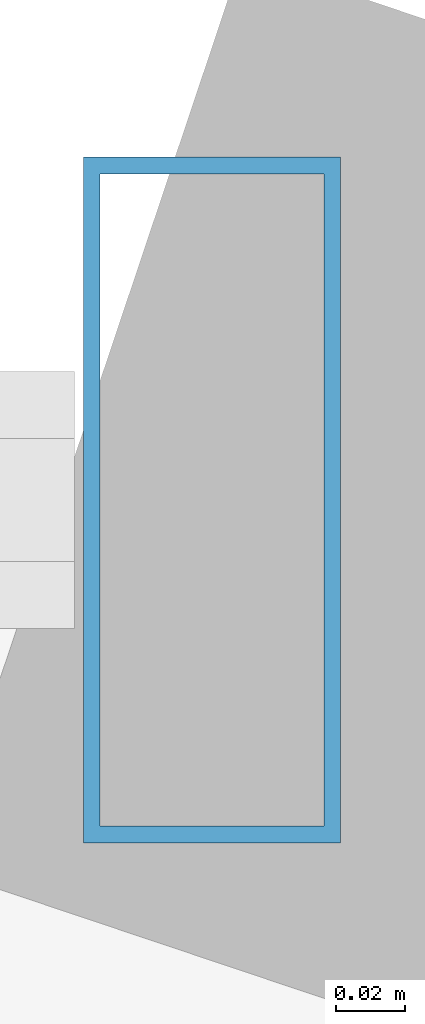
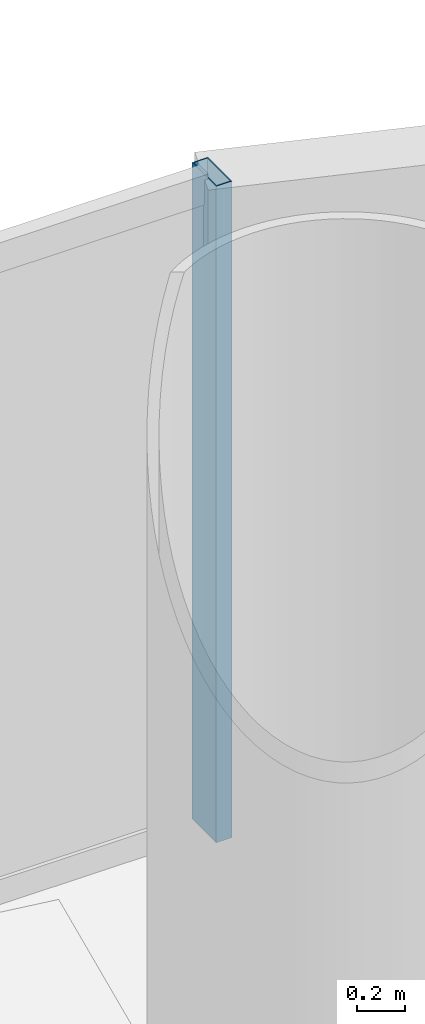
# One storey, part 19 of 29: 1 member, 1 element without a shape of its own.
"""IFC4 building model written with IfcOpenShell, lengths in metres."""

from ifc_helpers import new_model, si_unit, direction, frame, origin, origin_2d, place, context, subcontext, project, spatial, hollow_rectangle, extrude, source, transform, mapped, material, material_profile, profile_set, type_object, element, aggregate, save


model = new_model("IFC4")

# Units and contexts
model_context = context("Model", 3, precision=1e-05, world=origin(), true_north=direction((-0.2419218956, 0.970295726276)))
body_context = subcontext(model_context, "Body", "Model", "MODEL_VIEW")
ifc_project = project(units=[si_unit("LENGTHUNIT", "METRE"), si_unit("AREAUNIT", "SQUARE_METRE"), si_unit("VOLUMEUNIT", "CUBIC_METRE"), si_unit("PLANEANGLEUNIT", "RADIAN"), si_unit("MASSUNIT", "GRAM", prefix="KILO")], contexts=[model_context])

# Site, building, storey
site_placement = place(None, origin())
site = spatial("IfcSite", under=ifc_project, at=site_placement, CompositionType="ELEMENT")
building_placement = place(site_placement, origin())
building = spatial("IfcBuilding", under=site, at=building_placement, Name="Cobrevalo Terracotta Tower", CompositionType="ELEMENT")
storey_placement = place(building_placement, frame((0.0, 0.0, 45.60009765625)))
storey = spatial("IfcBuildingStorey", under=building, at=storey_placement, Name="L11", CompositionType="ELEMENT", Elevation=45.60009765625)

# Curtain wall, member
ifc_material = material(Name="Anodized aluminium", Category="aluminium")
curtain_wall_type = type_object("IfcCurtainWallType", Name="Lower-tower unitised acoustic low-E curtain wall CW-U1", PredefinedType="NOTDEFINED", material=ifc_material)
curtain_wall_placement = place(storey_placement, origin())
curtain_wall = element("IfcCurtainWall", 1, at=curtain_wall_placement, inside=storey, type_object=curtain_wall_type, Name="L11 curtain wall CW-L11-S04", PredefinedType="NOTDEFINED")
ifc_material_profile = material_profile(ifc_material, hollow_rectangle(XDim=0.074951171875, YDim=0.199951171875, WallThickness=0.0048828125, at=origin_2d()), Name="CWM 75x200")
ifc_profile_set = profile_set([ifc_material_profile], Name="Anodized aluminium")
member_type = type_object("IfcMemberType", Name="Lower/mid tower unitised mullion 75x200", PredefinedType="MULLION", material=ifc_profile_set)
shared_shape = source(origin(), body_context, "Body", "SweptSolid", [
    extrude(hollow_rectangle(XDim=0.074951171875, YDim=0.199951171875, WallThickness=0.0048828125, at=origin_2d()), origin(), (0.0, 0.0, 1.0), 3.31982421875),
])
member_placement = place(storey_placement, frame((43.61181640625, 49.819091796875, 0.0), z_axis=(0.0, 0.0, 1.0), x_axis=(-1.0, 0.0, 0.0)))
member = element("IfcMember", 2, at=member_placement, type_object=member_type, Name="CW-L11-S04 vertical mullion 01", PredefinedType="MULLION", context=body_context, shape_type="MappedRepresentation", body=[
    mapped(shared_shape, transform((0.0, 0.0, 0.0), scale=1.0)),
])
aggregate(curtain_wall, [member])

save(model, "model.ifc")
